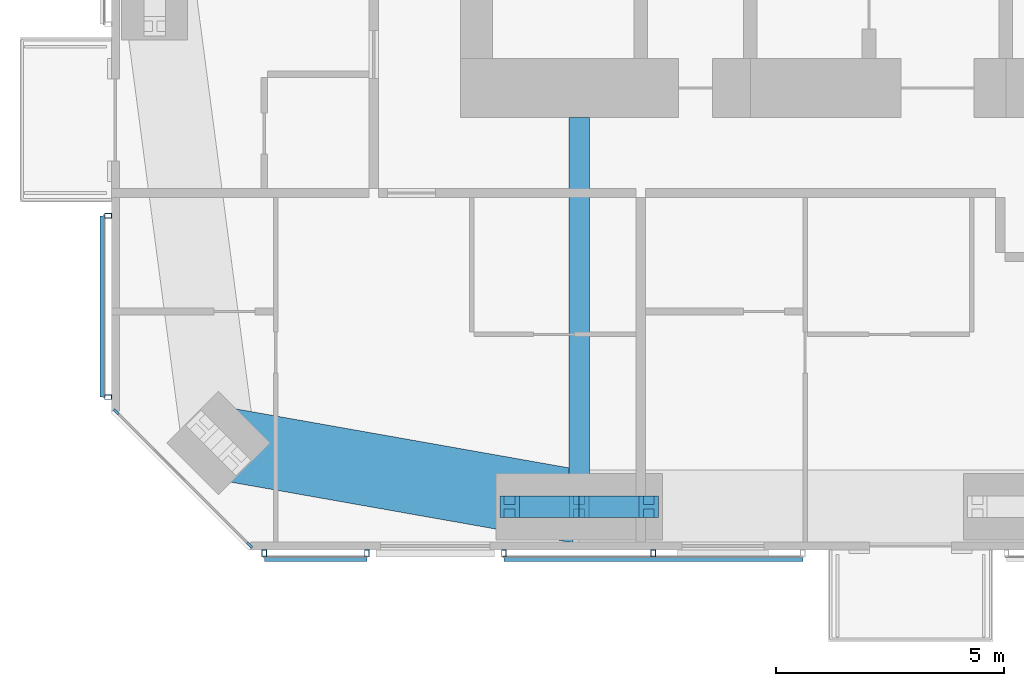
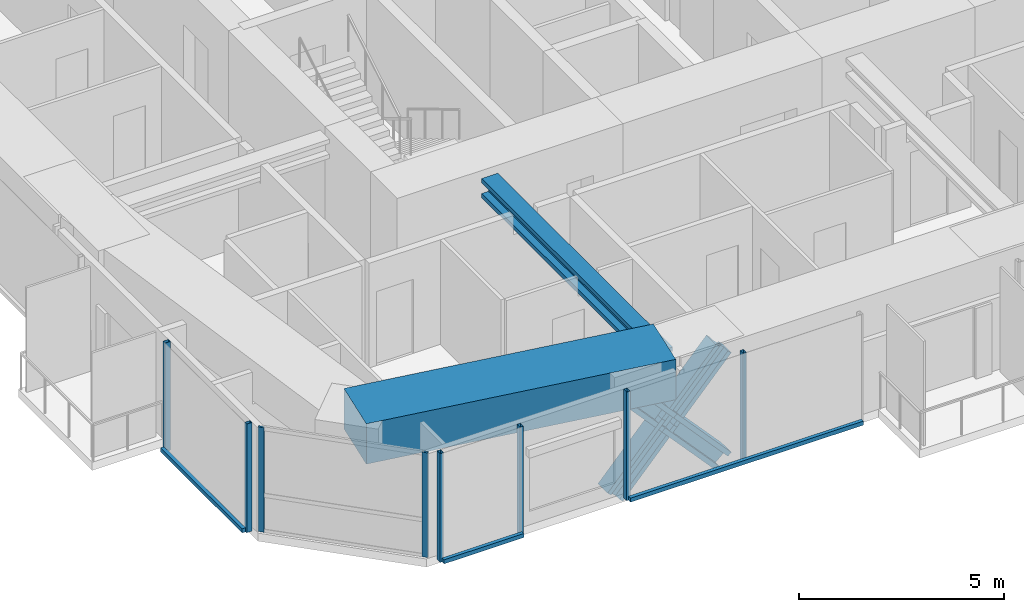
# One storey, part 2 of 23: 15 members, 2 beams, 4 elements without a shape of their own.
"""IFC4 building model written with IfcOpenShell, lengths in metres."""

from ifc_helpers import new_model, si_unit, direction, frame, origin, origin_2d, place, context, subcontext, project, spatial, rectangle, hollow_rectangle, i_section, extrude, material, material_profile, profile_set, type_object, element, aggregate, save


model = new_model("IFC4")

# Units and contexts
model_context = context("Model", 3, precision=1e-05, world=origin(), true_north=direction((0.0, 1.0)))
body_context = subcontext(model_context, "Body", "Model", "MODEL_VIEW")
ifc_project = project(units=[si_unit("LENGTHUNIT", "METRE"), si_unit("AREAUNIT", "SQUARE_METRE"), si_unit("VOLUMEUNIT", "CUBIC_METRE"), si_unit("PLANEANGLEUNIT", "RADIAN"), si_unit("MASSUNIT", "GRAM", prefix="KILO")], contexts=[model_context])

# Site, building, storey
site_placement = place(None, origin())
site = spatial("IfcSite", under=ifc_project, at=site_placement, CompositionType="ELEMENT")
building_placement = place(site_placement, origin())
building = spatial("IfcBuilding", under=site, at=building_placement, Name="Jalousie Tower", CompositionType="ELEMENT")
storey_placement = place(building_placement, frame((0.0, 0.0, 181.14990234375)))
storey = spatial("IfcBuildingStorey", under=building, at=storey_placement, Name="L49", CompositionType="ELEMENT", Elevation=181.14990234375)

# Curtain wall, members
ifc_material_1 = material(Name="Aluminium curtain wall", Category="aluminium")
curtain_wall_type_1 = type_object("IfcCurtainWallType", Name="CORNER WINDOW WALL", PredefinedType="USERDEFINED", material=ifc_material_1)
curtain_wall_1_placement = place(storey_placement, origin())
curtain_wall_1 = element("IfcCurtainWall", 1, at=curtain_wall_1_placement, inside=storey, type_object=curtain_wall_type_1, Name="Corner Window Wall L49 8", ObjectType="CORNER WINDOW WALL", PredefinedType="USERDEFINED")
ifc_material_2 = material(Name="Aluminium mullion", Category="aluminium")
ifc_material_profile_1 = material_profile(ifc_material_2, rectangle(XDim=0.06005859375, YDim=0.14990234375, at=origin_2d()), Name="MULLION 60x150")
ifc_profile_set_1 = profile_set([ifc_material_profile_1], Name="Aluminium mullion")
member_type_1 = type_object("IfcMemberType", Name="CORNER WINDOW WALL MULLION", PredefinedType="MULLION", material=ifc_profile_set_1)
member_1_placement = place(storey_placement, frame((12.108642578125, 3.030029296875, 0.0), z_axis=(0.0, 0.0, 1.0), x_axis=(0.707106781187, 0.707106781187, 0.0)))
member_1 = element("IfcMember", 2, at=member_1_placement, type_object=member_type_1, Name="CW-C mullion 1", PredefinedType="MULLION", context=body_context, shape_type="SweptSolid", body=[
    extrude(rectangle(XDim=0.06005859375, YDim=0.14990234375, at=origin_2d()), origin(), (0.0, 0.0, 1.0), 3.110107421875),
])
member_2_placement = place(storey_placement, frame((15.030029296875, 0.108642578125, 0.0), z_axis=(0.0, 0.0, 1.0), x_axis=(0.707106781187, 0.707106781187, 0.0)))
member_2 = element("IfcMember", 3, at=member_2_placement, type_object=member_type_1, Name="CW-C mullion 2", PredefinedType="MULLION", context=body_context, shape_type="SweptSolid", body=[
    extrude(rectangle(XDim=0.06005859375, YDim=0.14990234375, at=origin_2d()), origin(), (0.0, 0.0, 1.0), 3.110107421875),
])
aggregate(curtain_wall_1, [member_1, member_2])

# Beam
ifc_material_3 = material(Name="Steel ASTM A992 Grade 50", Category="steel")
ifc_material_profile_2 = material_profile(ifc_material_3, i_section(OverallWidth=0.45458984375, OverallDepth=0.569091796875, WebThickness=0.077880859375, FlangeThickness=0.124755859375, at=origin_2d()), Name="W14X730")
ifc_profile_set_2 = profile_set([ifc_material_profile_2], Name="Steel ASTM A992 Grade 50")
beam_type_1 = type_object("IfcBeamType", Name="LEAN COLLECTOR W14X730", PredefinedType="BEAM", material=ifc_profile_set_2)
beam_1_placement = place(storey_placement, frame((22.25, 0.949951171875, 2.82568359375), z_axis=(0.0, 1.0, 0.0), x_axis=(-1.0, 0.0, 0.0)))
element("IfcBeam", 4, at=beam_1_placement, inside=storey, type_object=beam_type_1, Name="Lean collector under L50", PredefinedType="BEAM", context=body_context, shape_type="SweptSolid", body=[
    extrude(i_section(OverallWidth=0.45458984375, OverallDepth=0.569091796875, WebThickness=0.077880859375, FlangeThickness=0.124755859375, at=origin_2d()), origin(), (0.0, 0.0, 1.0), 8.525146484375),
])

# Members
ifc_material_4 = material(Name="Steel ASTM A992 Grade 50", Category="steel")
ifc_material_profile_3 = material_profile(ifc_material_4, i_section(OverallWidth=0.472412109375, OverallDepth=0.5791015625, WebThickness=0.094970703125, FlangeThickness=0.1298828125, at=origin_2d()), Name="W14X808")
ifc_profile_set_3 = profile_set([ifc_material_profile_3], Name="Steel ASTM A992 Grade 50")
member_type_2 = type_object("IfcMemberType", Name="PERIMETER BRACE W14X808", PredefinedType="BRACE", material=ifc_profile_set_3)
for number, where, z_axis, x_axis, name in (
    (5, (20.72509765625, 0.949951171875, -0.599853515625), (0.673187629365, 0.0, 0.739471713908), (0.0, 1.0, 0.0), "Perimeter brace 02 L49 part 1"),
    (6, (22.25, 0.949951171875, 1.0751953125), (0.673241284601, 0.0, 0.739422864611), (0.0, 1.0, 0.0), "Perimeter brace 02 L49 part 2"),
    (7, (23.77490234375, 0.949951171875, -0.599853515625), (-0.673187629365, 0.0, 0.739471713908), (0.0, -1.0, 0.0), "Perimeter brace 02 L49 part 3"),
    (8, (22.25, 0.949951171875, 1.0751953125), (-0.673241284601, 0.0, 0.739422864611), (0.0, -1.0, 0.0), "Perimeter brace 02 L49 part 4"),
):
    element("IfcMember", number, at=place(storey_placement, frame(where, z_axis=z_axis, x_axis=x_axis)), inside=storey, type_object=member_type_2, Name=name, PredefinedType="BRACE", context=body_context, shape_type="SweptSolid", body=[
        extrude(i_section(OverallWidth=0.472412109375, OverallDepth=0.5791015625, WebThickness=0.094970703125, FlangeThickness=0.1298828125, at=origin_2d()), origin(), (0.0, 0.0, 1.0), 2.26513671875),
    ])

# Beam
ifc_material_5 = material(Name="Concrete f'c 40 MPa", Category="concrete")
ifc_material_profile_4 = material_profile(ifc_material_5, rectangle(XDim=1.60009765625, YDim=1.199951171875, at=origin_2d()), Name="RC 1600x1200")
ifc_profile_set_4 = profile_set([ifc_material_profile_4], Name="Concrete f'c 40 MPa")
beam_type_2 = type_object("IfcBeamType", Name="RC BEAM 1600x1200", PredefinedType="BEAM", material=ifc_profile_set_4)
beam_2_placement = place(storey_placement, frame((14.348388671875, 2.348388671875, 2.75), z_axis=(0.984697370688, -0.174273027632, 0.0), x_axis=(0.174273027632, 0.984697370688, 0.0)))
element("IfcBeam", 9, at=beam_2_placement, inside=storey, type_object=beam_type_2, Name="Edge band beam 01-02 under L50", PredefinedType="BEAM", context=body_context, shape_type="SweptSolid", body=[
    extrude(rectangle(XDim=1.60009765625, YDim=1.199951171875, at=origin_2d()), origin(), (0.0, 0.0, 1.0), 8.0244140625),
])

# Curtain wall, members
ifc_material_6 = material(Name="Perforated aluminium sheet", Category="aluminium")
curtain_wall_type_2 = type_object("IfcCurtainWallType", Name="SOLAR SCREEN SS-1", PredefinedType="USERDEFINED", material=ifc_material_6)
curtain_wall_2_placement = place(storey_placement, origin())
curtain_wall_2 = element("IfcCurtainWall", 10, at=curtain_wall_2_placement, inside=storey, type_object=curtain_wall_type_2, Name="Solar screen L49", ObjectType="SOLAR SCREEN SS-1", PredefinedType="USERDEFINED")
ifc_material_7 = material(Name="Steel ASTM A500 Grade C", Category="steel")
ifc_material_profile_5 = material_profile(ifc_material_7, hollow_rectangle(XDim=0.1015625, YDim=0.15234375, WallThickness=0.00634765625, at=origin_2d()), Name="HSS6X4X1/4")
ifc_profile_set_5 = profile_set([ifc_material_profile_5], Name="Steel ASTM A500 Grade C")
member_type_3 = type_object("IfcMemberType", Name="SOLAR SCREEN SS-1 MULLION", PredefinedType="MULLION", material=ifc_profile_set_5)
member_3_placement = place(storey_placement, frame((15.351318359375, -0.0712890625, -0.119873046875), z_axis=(0.0, 0.0, 1.0), x_axis=(1.0, 0.0, 0.0)))
member_3 = element("IfcMember", 11, at=member_3_placement, type_object=member_type_3, Name="SS1 post 1", PredefinedType="MULLION", context=body_context, shape_type="SweptSolid", body=[
    extrude(hollow_rectangle(XDim=0.1015625, YDim=0.15234375, WallThickness=0.00634765625, at=origin_2d()), origin(), (0.0, 0.0, 1.0), 3.22998046875),
])
member_4_placement = place(storey_placement, frame((17.60009765625, -0.0712890625, -0.119873046875), z_axis=(0.0, 0.0, 1.0), x_axis=(1.0, 0.0, 0.0)))
member_4 = element("IfcMember", 12, at=member_4_placement, type_object=member_type_3, Name="SS1 post 2", PredefinedType="MULLION", context=body_context, shape_type="SweptSolid", body=[
    extrude(hollow_rectangle(XDim=0.1015625, YDim=0.15234375, WallThickness=0.00634765625, at=origin_2d()), origin(), (0.0, 0.0, 1.0), 3.22998046875),
])

curtain_wall_3_placement = place(storey_placement, origin())
curtain_wall_3 = element("IfcCurtainWall", 13, at=curtain_wall_3_placement, inside=storey, type_object=curtain_wall_type_2, Name="Solar screen L49", ObjectType="SOLAR SCREEN SS-1", PredefinedType="USERDEFINED")
member_5_placement = place(storey_placement, frame((20.60009765625, -0.0712890625, -0.119873046875), z_axis=(0.0, 0.0, 1.0), x_axis=(1.0, 0.0, 0.0)))
member_5 = element("IfcMember", 14, at=member_5_placement, type_object=member_type_3, Name="SS1 post 1", PredefinedType="MULLION", context=body_context, shape_type="SweptSolid", body=[
    extrude(hollow_rectangle(XDim=0.1015625, YDim=0.15234375, WallThickness=0.00634765625, at=origin_2d()), origin(), (0.0, 0.0, 1.0), 3.22998046875),
])
member_6_placement = place(storey_placement, frame((23.875, -0.0712890625, -0.119873046875), z_axis=(0.0, 0.0, 1.0), x_axis=(1.0, 0.0, 0.0)))
member_6 = element("IfcMember", 15, at=member_6_placement, type_object=member_type_3, Name="SS1 post 2", PredefinedType="MULLION", context=body_context, shape_type="SweptSolid", body=[
    extrude(hollow_rectangle(XDim=0.1015625, YDim=0.15234375, WallThickness=0.00634765625, at=origin_2d()), origin(), (0.0, 0.0, 1.0), 3.22998046875),
])

curtain_wall_4_placement = place(storey_placement, origin())
curtain_wall_4 = element("IfcCurtainWall", 16, at=curtain_wall_4_placement, inside=storey, type_object=curtain_wall_type_2, Name="Solar screen L49", ObjectType="SOLAR SCREEN SS-1", PredefinedType="USERDEFINED")
member_7_placement = place(storey_placement, frame((11.9287109375, 7.324951171875, -0.119873046875), z_axis=(0.0, 0.0, 1.0), x_axis=(0.0, -1.0, 0.0)))
member_7 = element("IfcMember", 17, at=member_7_placement, type_object=member_type_3, Name="SS1 post 1", PredefinedType="MULLION", context=body_context, shape_type="SweptSolid", body=[
    extrude(hollow_rectangle(XDim=0.1015625, YDim=0.15234375, WallThickness=0.00634765625, at=origin_2d()), origin(), (0.0, 0.0, 1.0), 3.22998046875),
])
member_8_placement = place(storey_placement, frame((11.9287109375, 3.351318359375, -0.119873046875), z_axis=(0.0, 0.0, 1.0), x_axis=(0.0, -1.0, 0.0)))
member_8 = element("IfcMember", 18, at=member_8_placement, type_object=member_type_3, Name="SS1 post 2", PredefinedType="MULLION", context=body_context, shape_type="SweptSolid", body=[
    extrude(hollow_rectangle(XDim=0.1015625, YDim=0.15234375, WallThickness=0.00634765625, at=origin_2d()), origin(), (0.0, 0.0, 1.0), 3.22998046875),
])

# Member
ifc_material_8 = material(Name="Extruded aluminium screen rail", Category="aluminium")
ifc_material_profile_6 = material_profile(ifc_material_8, rectangle(XDim=0.1015625, YDim=0.1201171875, at=origin_2d()), Name="RAIL 102x120")
ifc_profile_set_6 = profile_set([ifc_material_profile_6], Name="Extruded aluminium screen rail")
member_type_4 = type_object("IfcMemberType", Name="SOLAR SCREEN SS-1 TRANSOM", PredefinedType="USERDEFINED", material=ifc_profile_set_6)
member_9_placement = place(storey_placement, frame((15.351318359375, -0.1982421875, -0.059814453125), z_axis=(1.0, 0.0, 0.0), x_axis=(0.0, 1.0, 0.0)))
member_9 = element("IfcMember", 19, at=member_9_placement, type_object=member_type_4, Name="SS1 rail", ObjectType="TRANSOM", PredefinedType="USERDEFINED", context=body_context, shape_type="SweptSolid", body=[
    extrude(rectangle(XDim=0.1015625, YDim=0.1201171875, at=origin_2d()), origin(), (0.0, 0.0, 1.0), 2.248779296875),
])

aggregate(curtain_wall_2, [member_3, member_4, member_9])

member_10_placement = place(storey_placement, frame((20.60009765625, -0.1982421875, -0.059814453125), z_axis=(1.0, 0.0, 0.0), x_axis=(0.0, 1.0, 0.0)))
member_10 = element("IfcMember", 20, at=member_10_placement, type_object=member_type_4, Name="SS1 rail", ObjectType="TRANSOM", PredefinedType="USERDEFINED", context=body_context, shape_type="SweptSolid", body=[
    extrude(rectangle(XDim=0.1015625, YDim=0.1201171875, at=origin_2d()), origin(), (0.0, 0.0, 1.0), 6.5498046875),
])

aggregate(curtain_wall_3, [member_5, member_6, member_10])

member_11_placement = place(storey_placement, frame((11.8017578125, 7.324951171875, -0.059814453125), z_axis=(0.0, -1.0, 0.0), x_axis=(1.0, 0.0, 0.0)))
member_11 = element("IfcMember", 21, at=member_11_placement, type_object=member_type_4, Name="SS1 rail", ObjectType="TRANSOM", PredefinedType="USERDEFINED", context=body_context, shape_type="SweptSolid", body=[
    extrude(rectangle(XDim=0.1015625, YDim=0.1201171875, at=origin_2d()), origin(), (0.0, 0.0, 1.0), 3.9736328125),
])

aggregate(curtain_wall_4, [member_7, member_8, member_11])

save(model, "model.ifc")
